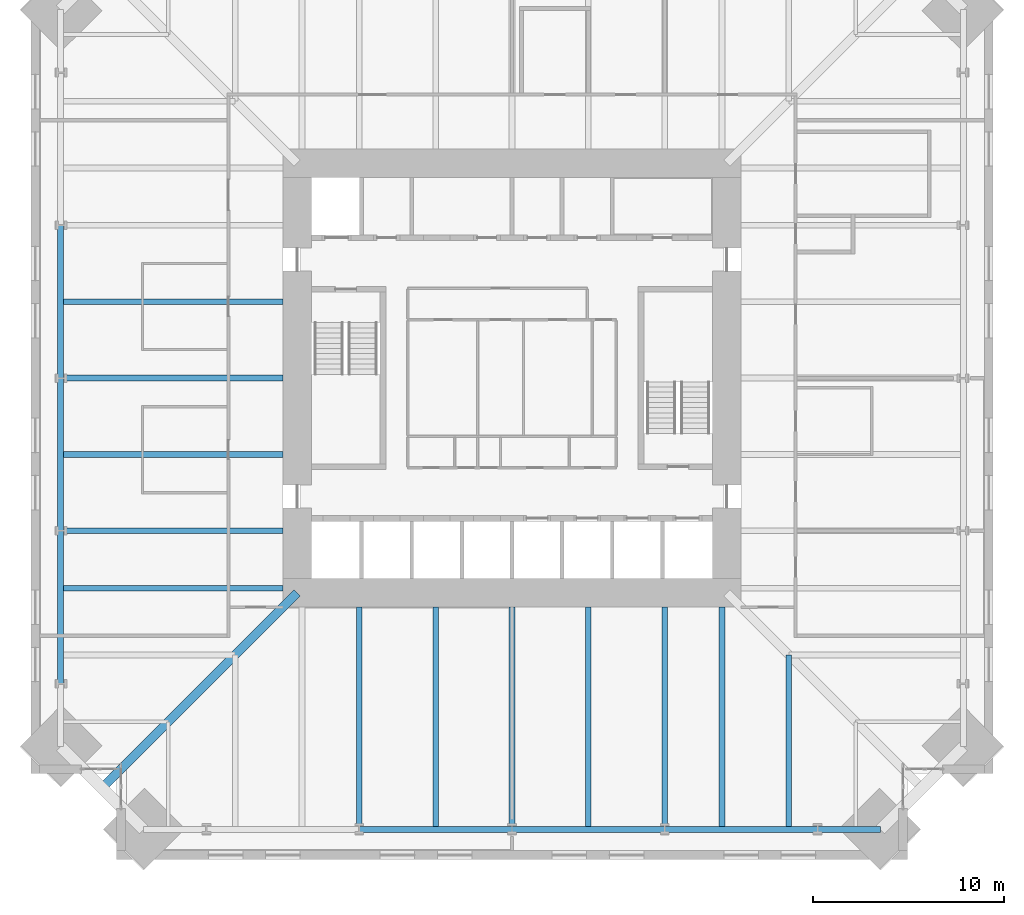
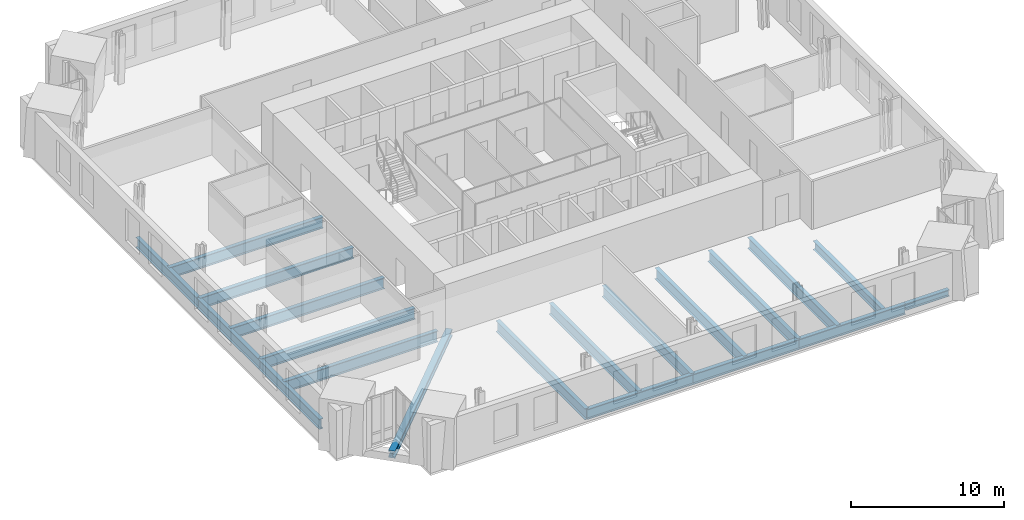
# One storey, part 3 of 15: 20 beams.
"""IFC4 building model written with IfcOpenShell, lengths in metres."""

from ifc_helpers import new_model, si_unit, direction, frame, origin, origin_2d, place, context, subcontext, project, spatial, i_section, extrude, material, material_profile, profile_set, type_object, element, save


model = new_model("IFC4")

# Units and contexts
model_context = context("Model", 3, precision=1e-05, world=origin(), true_north=direction((0.0, 1.0)))
body_context = subcontext(model_context, "Body", "Model", "MODEL_VIEW")
ifc_project = project(units=[si_unit("LENGTHUNIT", "METRE"), si_unit("AREAUNIT", "SQUARE_METRE"), si_unit("VOLUMEUNIT", "CUBIC_METRE"), si_unit("PLANEANGLEUNIT", "RADIAN"), si_unit("MASSUNIT", "GRAM", prefix="KILO")], contexts=[model_context])

# Site, building, storey
site_placement = place(None, origin())
site = spatial("IfcSite", under=ifc_project, at=site_placement, CompositionType="ELEMENT")
building_placement = place(site_placement, origin())
building = spatial("IfcBuilding", under=site, at=building_placement, Name="Peilmerk Tower", CompositionType="ELEMENT")
storey_placement = place(building_placement, frame((0.0, 0.0, 179.800048828125)))
storey = spatial("IfcBuildingStorey", under=building, at=storey_placement, Name="L38", CompositionType="ELEMENT", Elevation=179.800048828125)

# Beams
ifc_material_1 = material(Name="Steel S355", Category="steel")
ifc_material_profile_1 = material_profile(ifc_material_1, i_section(OverallWidth=0.302978515625, OverallDepth=0.81396484375, WebThickness=0.02099609375, FlangeThickness=0.0400390625, at=origin_2d()), Name="HEM 800")
ifc_profile_set_1 = profile_set([ifc_material_profile_1], Name="Steel S355")
beam_type_1 = type_object("IfcBeamType", Name="B15 HEM 800 edge beam", PredefinedType="SPANDREL", material=ifc_profile_set_1)
for number, where, z_axis, x_axis, name in (
    (1, (-8.0, -23.646728515625, -0.5771484375), (1.0, 0.0, 0.0), (0.0, 1.0, 0.0), "Edge beam L38"),
    (2, (0.0, -23.646728515625, -0.5771484375), (1.0, 0.0, 0.0), (0.0, 1.0, 0.0), "Edge beam L38"),
    (3, (8.0, -23.646728515625, -0.5771484375), (1.0, 0.0, 0.0), (0.0, 1.0, 0.0), "Edge beam L38"),
    (4, (-23.646728515625, 8.0, -0.5771484375), (0.0, -1.0, 0.0), (1.0, 0.0, 0.0), "Edge beam L38"),
    (5, (-23.646728515625, 0.0, -0.5771484375), (0.0, -1.0, 0.0), (1.0, 0.0, 0.0), "Edge beam L38"),
    (6, (-23.646728515625, -8.0, -0.5771484375), (0.0, -1.0, 0.0), (1.0, 0.0, 0.0), "Edge beam L38"),
):
    element("IfcBeam", number, at=place(storey_placement, frame(where, z_axis=z_axis, x_axis=x_axis)), inside=storey, type_object=beam_type_1, Name=name, PredefinedType="SPANDREL", context=body_context, shape_type="SweptSolid", body=[
        extrude(i_section(OverallWidth=0.302978515625, OverallDepth=0.81396484375, WebThickness=0.02099609375, FlangeThickness=0.0400390625, at=origin_2d()), origin(), (0.0, 0.0, 1.0), 8.0),
    ])
ifc_material_profile_2 = material_profile(ifc_material_1, i_section(OverallWidth=0.300048828125, OverallDepth=0.68994140625, WebThickness=0.014404296875, FlangeThickness=0.027099609375, at=origin_2d()), Name="HEA 700")
ifc_profile_set_2 = profile_set([ifc_material_profile_2], Name="Steel S355")
beam_type_2 = type_object("IfcBeamType", Name="B16 HEA 700 floor beam", PredefinedType="BEAM", material=ifc_profile_set_2)
beam_1_placement = place(storey_placement, frame((14.5, -14.5, -0.51513671875), z_axis=(0.0, -1.0, 0.0), x_axis=(1.0, 0.0, 0.0)))
element("IfcBeam", 7, at=beam_1_placement, inside=storey, type_object=beam_type_2, Name="Floor beam L38", PredefinedType="BEAM", context=body_context, shape_type="SweptSolid", body=[
    extrude(i_section(OverallWidth=0.300048828125, OverallDepth=0.68994140625, WebThickness=0.014404296875, FlangeThickness=0.027099609375, at=origin_2d()), origin(), (0.0, 0.0, 1.0), 9.146728515625),
])
ifc_material_profile_3 = material_profile(ifc_material_1, i_section(OverallWidth=0.305908203125, OverallDepth=0.52392578125, WebThickness=0.02099609375, FlangeThickness=0.0400390625, at=origin_2d()), Name="HEM 500")
ifc_profile_set_3 = profile_set([ifc_material_profile_3], Name="Steel S355")
beam_type_3 = type_object("IfcBeamType", Name="B33 HEM 500 edge beam", PredefinedType="SPANDREL", material=ifc_profile_set_3)
beam_2_placement = place(storey_placement, frame((16.0, -23.646728515625, -0.43212890625), z_axis=(1.0, 0.0, 0.0), x_axis=(0.0, 1.0, 0.0)))
element("IfcBeam", 8, at=beam_2_placement, inside=storey, type_object=beam_type_3, Name="Edge beam L38", PredefinedType="SPANDREL", context=body_context, shape_type="SweptSolid", body=[
    extrude(i_section(OverallWidth=0.305908203125, OverallDepth=0.52392578125, WebThickness=0.02099609375, FlangeThickness=0.0400390625, at=origin_2d()), origin(), (0.0, 0.0, 1.0), 3.296875),
])
ifc_material_profile_4 = material_profile(ifc_material_1, i_section(OverallWidth=0.300048828125, OverallDepth=0.889892578125, WebThickness=0.01611328125, FlangeThickness=0.030029296875, at=origin_2d()), Name="HEA 900")
ifc_profile_set_4 = profile_set([ifc_material_profile_4], Name="Steel S355")
beam_type_4 = type_object("IfcBeamType", Name="B4 HEA 900 floor beam", PredefinedType="BEAM", material=ifc_profile_set_4)
for number, where, z_axis, x_axis, name in (
    (9, (-8.0, -12.0, -0.614990234375), (0.0, -1.0, 0.0), (1.0, 0.0, 0.0), "Floor beam L38"),
    (10, (-4.0, -12.0, -0.614990234375), (0.0, -1.0, 0.0), (1.0, 0.0, 0.0), "Floor beam L38"),
    (11, (0.0, -12.0, -0.614990234375), (0.0, -1.0, 0.0), (1.0, 0.0, 0.0), "Floor beam L38"),
    (12, (4.0, -12.0, -0.614990234375), (0.0, -1.0, 0.0), (1.0, 0.0, 0.0), "Floor beam L38"),
    (13, (8.0, -12.0, -0.614990234375), (0.0, -1.0, 0.0), (1.0, 0.0, 0.0), "Floor beam L38"),
    (14, (11.0, -12.0, -0.614990234375), (0.0, -1.0, 0.0), (1.0, 0.0, 0.0), "Floor beam L38"),
    (15, (-12.0, 4.0, -0.614990234375), (-1.0, 0.0, 0.0), (0.0, -1.0, 0.0), "Floor beam L38"),
    (16, (-12.0, 0.0, -0.614990234375), (-1.0, 0.0, 0.0), (0.0, -1.0, 0.0), "Floor beam L38"),
    (17, (-12.0, -4.0, -0.614990234375), (-1.0, 0.0, 0.0), (0.0, -1.0, 0.0), "Floor beam L38"),
    (18, (-12.0, -8.0, -0.614990234375), (-1.0, 0.0, 0.0), (0.0, -1.0, 0.0), "Floor beam L38"),
    (19, (-12.0, -11.0, -0.614990234375), (-1.0, 0.0, 0.0), (0.0, -1.0, 0.0), "Floor beam L38"),
):
    element("IfcBeam", number, at=place(storey_placement, frame(where, z_axis=z_axis, x_axis=x_axis)), inside=storey, type_object=beam_type_4, Name=name, PredefinedType="BEAM", context=body_context, shape_type="SweptSolid", body=[
        extrude(i_section(OverallWidth=0.300048828125, OverallDepth=0.889892578125, WebThickness=0.01611328125, FlangeThickness=0.030029296875, at=origin_2d()), origin(), (0.0, 0.0, 1.0), 11.646728515625),
    ])
ifc_material_2 = material(Name="Steel S460", Category="steel")
ifc_material_profile_5 = material_profile(ifc_material_2, i_section(OverallWidth=0.4541015625, OverallDepth=0.569091796875, WebThickness=0.077880859375, FlangeThickness=0.125, at=origin_2d()), Name="HD 400x1086")
ifc_profile_set_5 = profile_set([ifc_material_profile_5], Name="Steel S460")
beam_type_5 = type_object("IfcBeamType", Name="B9 HD 400x1086 corner girder", PredefinedType="BEAM", material=ifc_profile_set_5)
beam_3_placement = place(storey_placement, frame((-11.25, -11.25, -0.45458984375), z_axis=(-0.707106781187, -0.707106781187, 0.0), x_axis=(0.707106781187, -0.707106781187, 0.0)))
element("IfcBeam", 20, at=beam_3_placement, inside=storey, type_object=beam_type_5, Name="Corner girder L38", PredefinedType="BEAM", context=body_context, shape_type="SweptSolid", body=[
    extrude(i_section(OverallWidth=0.4541015625, OverallDepth=0.569091796875, WebThickness=0.077880859375, FlangeThickness=0.125, at=origin_2d()), origin(), (0.0, 0.0, 1.0), 14.45556640625),
])

save(model, "model.ifc")
